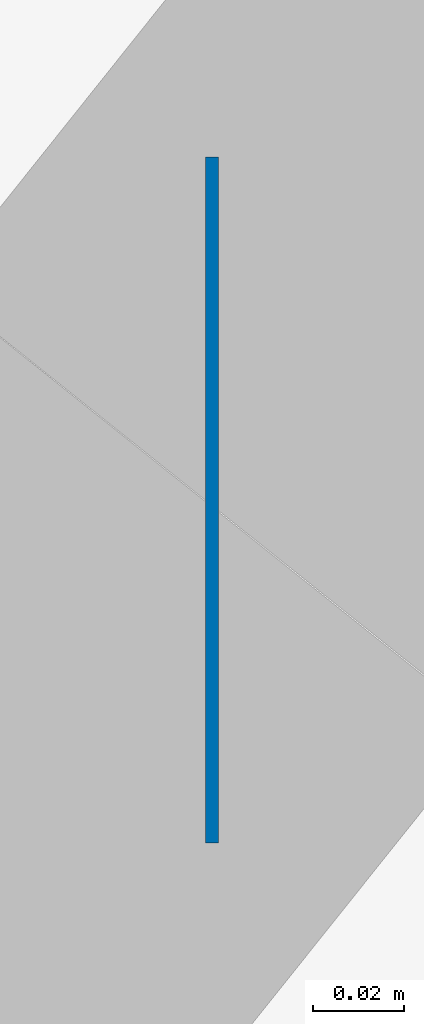
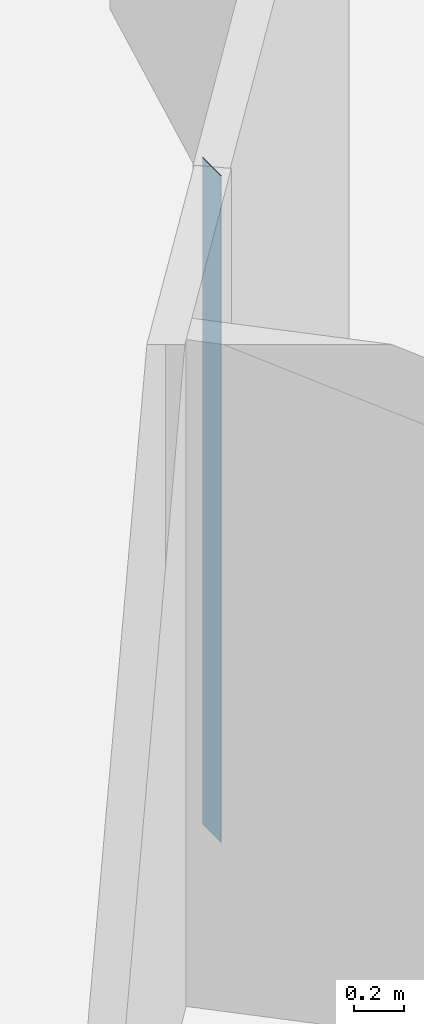
# One storey, part 4 of 11: 1 wall.
"""IFC4 building model written with IfcOpenShell, lengths in metres."""

from ifc_helpers import new_model, si_unit, direction, frame, frame_2d, origin, place, context, subcontext, project, spatial, rectangle, extrude, material, layer, layer_set, type_object, element, save


model = new_model("IFC4")

# Units and contexts
model_context = context("Model", 3, precision=1e-05, world=origin(), true_north=direction((0.0, 1.0)))
body_context = subcontext(model_context, "Body", "Model", "MODEL_VIEW")
ifc_project = project(units=[si_unit("LENGTHUNIT", "METRE"), si_unit("AREAUNIT", "SQUARE_METRE"), si_unit("VOLUMEUNIT", "CUBIC_METRE"), si_unit("PLANEANGLEUNIT", "RADIAN"), si_unit("MASSUNIT", "GRAM", prefix="KILO")], contexts=[model_context])

# Site, building, storey
site_placement = place(None, origin())
site = spatial("IfcSite", under=ifc_project, at=site_placement, CompositionType="ELEMENT")
building_placement = place(site_placement, origin())
building = spatial("IfcBuilding", under=site, at=building_placement, Name="Tracery Tower", CompositionType="ELEMENT")
storey_placement = place(building_placement, frame((0.0, 0.0, 263.39990234375)))
storey = spatial("IfcBuildingStorey", under=building, at=storey_placement, Name="L68", CompositionType="ELEMENT", Elevation=263.39990234375)

# Wall
ifc_material = material(Name="Plasterboard on steel studs", Category="steel")
ifc_layer = layer(ifc_material, 0.14990234375)
ifc_layer_set = layer_set([ifc_layer], Name="Partition 150 corridor wall")
wall_type = type_object("IfcWallType", Name="Partition 150 corridor wall", PredefinedType="PARTITIONING", material=ifc_layer_set)
wall_placement = place(storey_placement, frame((11.136962890625, -8.800048828125, 0.0), z_axis=(0.0, 0.0, 1.0), x_axis=(-1.0, 0.0, 0.0)))
element("IfcWall", 1, at=wall_placement, inside=storey, type_object=wall_type, Name="Corridor wall RC4-015", PredefinedType="PARTITIONING", context=body_context, shape_type="SweptSolid", body=[
    extrude(rectangle(XDim=0.0029296875, YDim=0.14990234375, at=frame_2d((0.00146484375, 0.0))), origin(), (0.0, 0.0, 1.0), 3.25),
])

save(model, "model.ifc")
